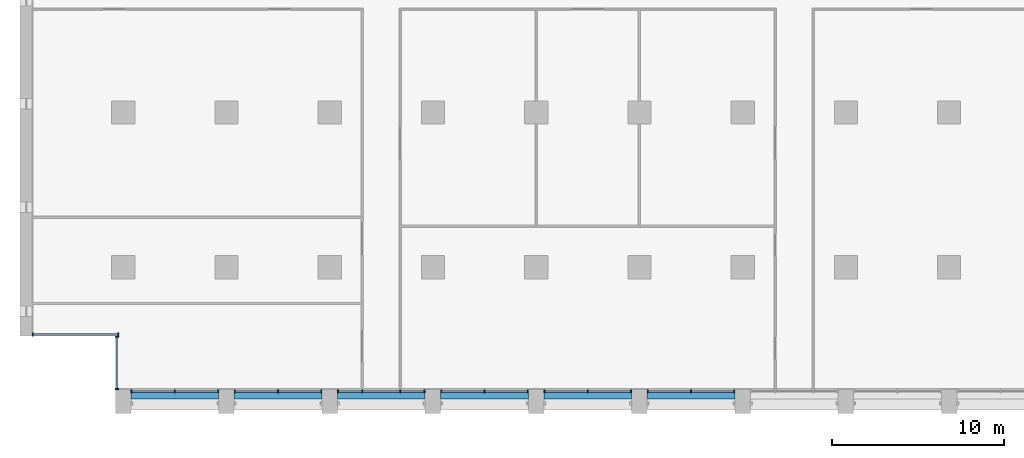
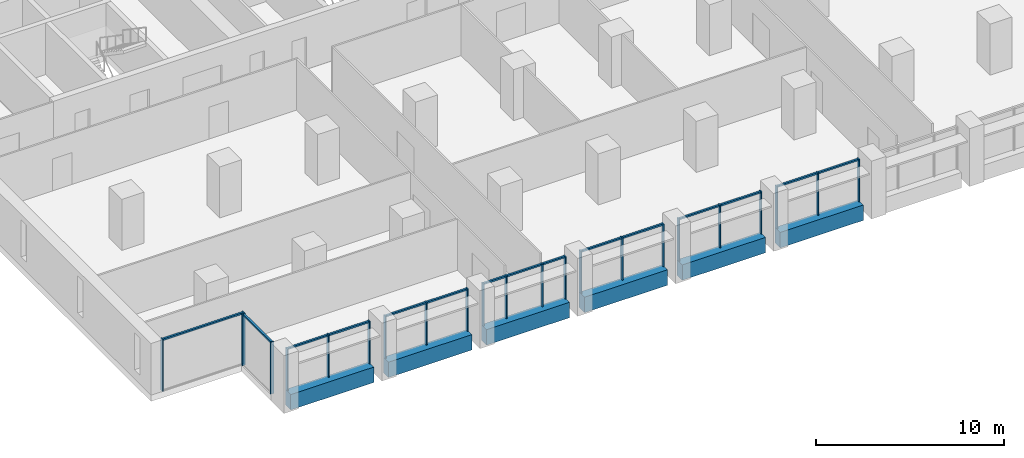
# One storey, part 2 of 15: 38 members, 6 beams, 8 elements without a shape of their own.
"""IFC4 building model written with IfcOpenShell, lengths in metres."""

from ifc_helpers import new_model, si_unit, direction, frame, origin, origin_2d, place, context, subcontext, project, spatial, rectangle, extrude, material, material_profile, profile_set, type_object, element, aggregate, save


model = new_model("IFC4")

# Units and contexts
model_context = context("Model", 3, precision=1e-05, world=origin(), true_north=direction((0.0, 1.0)))
body_context = subcontext(model_context, "Body", "Model", "MODEL_VIEW")
ifc_project = project(units=[si_unit("LENGTHUNIT", "METRE"), si_unit("AREAUNIT", "SQUARE_METRE"), si_unit("VOLUMEUNIT", "CUBIC_METRE"), si_unit("PLANEANGLEUNIT", "RADIAN"), si_unit("MASSUNIT", "GRAM", prefix="KILO")], contexts=[model_context])

# Site, building, storey
site_placement = place(None, origin())
site = spatial("IfcSite", under=ifc_project, at=site_placement, CompositionType="ELEMENT")
building_placement = place(site_placement, origin())
building = spatial("IfcBuilding", under=site, at=building_placement, Name="Calvaro Tower", CompositionType="ELEMENT")
storey_placement = place(building_placement, frame((0.0, 0.0, 121.25)))
storey = spatial("IfcBuildingStorey", under=building, at=storey_placement, Name="L30", CompositionType="ELEMENT", Elevation=121.25)

# Curtain wall, members
ifc_material_1 = material(Name="Anodised aluminium", Category="aluminium")
curtain_wall_type = type_object("IfcCurtainWallType", Name="Office curtain wall, middle zone", PredefinedType="NOTDEFINED", material=ifc_material_1)
curtain_wall_1_placement = place(storey_placement, origin())
curtain_wall_1 = element("IfcCurtainWall", 1, at=curtain_wall_1_placement, inside=storey, type_object=curtain_wall_type, Name="CW2 south curtain wall", PredefinedType="NOTDEFINED")
ifc_material_2 = material(Name="Anodised aluminium", Category="aluminium")
ifc_material_profile_1 = material_profile(ifc_material_2, rectangle(XDim=0.199951171875, YDim=0.070068359375, at=origin_2d()), Name="Mullion S2 70 x 200")
ifc_profile_set_1 = profile_set([ifc_material_profile_1], Name="Anodised aluminium")
member_type_1 = type_object("IfcMemberType", Name="Mullion S2 70 x 200", PredefinedType="MULLION", material=ifc_profile_set_1)
member_1_placement = place(storey_placement, frame((6.485107421875, 2.800048828125, 0.0), z_axis=(0.0, 0.0, 1.0), x_axis=(0.0, 1.0, 0.0)))
member_1 = element("IfcMember", 2, at=member_1_placement, type_object=member_type_1, Name="CW2 mullion 1", PredefinedType="MULLION", context=body_context, shape_type="SweptSolid", body=[
    extrude(rectangle(XDim=0.199951171875, YDim=0.070068359375, at=origin_2d()), origin(), (0.0, 0.0, 1.0), 2.75),
])
member_2_placement = place(storey_placement, frame((9.0, 2.800048828125, 0.0), z_axis=(0.0, 0.0, 1.0), x_axis=(0.0, 1.0, 0.0)))
member_2 = element("IfcMember", 3, at=member_2_placement, type_object=member_type_1, Name="CW2 mullion 2", PredefinedType="MULLION", context=body_context, shape_type="SweptSolid", body=[
    extrude(rectangle(XDim=0.199951171875, YDim=0.070068359375, at=origin_2d()), origin(), (0.0, 0.0, 1.0), 2.75),
])
member_3_placement = place(storey_placement, frame((11.514892578125, 2.800048828125, 0.0), z_axis=(0.0, 0.0, 1.0), x_axis=(0.0, 1.0, 0.0)))
member_3 = element("IfcMember", 4, at=member_3_placement, type_object=member_type_1, Name="CW2 mullion 3", PredefinedType="MULLION", context=body_context, shape_type="SweptSolid", body=[
    extrude(rectangle(XDim=0.199951171875, YDim=0.070068359375, at=origin_2d()), origin(), (0.0, 0.0, 1.0), 2.75),
])

curtain_wall_2_placement = place(storey_placement, origin())
curtain_wall_2 = element("IfcCurtainWall", 5, at=curtain_wall_2_placement, inside=storey, type_object=curtain_wall_type, Name="CW2 south curtain wall", PredefinedType="NOTDEFINED")
member_4_placement = place(storey_placement, frame((12.485107421875, 2.800048828125, 0.0), z_axis=(0.0, 0.0, 1.0), x_axis=(0.0, 1.0, 0.0)))
member_4 = element("IfcMember", 6, at=member_4_placement, type_object=member_type_1, Name="CW2 mullion 1", PredefinedType="MULLION", context=body_context, shape_type="SweptSolid", body=[
    extrude(rectangle(XDim=0.199951171875, YDim=0.070068359375, at=origin_2d()), origin(), (0.0, 0.0, 1.0), 2.75),
])
member_5_placement = place(storey_placement, frame((15.0, 2.800048828125, 0.0), z_axis=(0.0, 0.0, 1.0), x_axis=(0.0, 1.0, 0.0)))
member_5 = element("IfcMember", 7, at=member_5_placement, type_object=member_type_1, Name="CW2 mullion 2", PredefinedType="MULLION", context=body_context, shape_type="SweptSolid", body=[
    extrude(rectangle(XDim=0.199951171875, YDim=0.070068359375, at=origin_2d()), origin(), (0.0, 0.0, 1.0), 2.75),
])
member_6_placement = place(storey_placement, frame((17.514892578125, 2.800048828125, 0.0), z_axis=(0.0, 0.0, 1.0), x_axis=(0.0, 1.0, 0.0)))
member_6 = element("IfcMember", 8, at=member_6_placement, type_object=member_type_1, Name="CW2 mullion 3", PredefinedType="MULLION", context=body_context, shape_type="SweptSolid", body=[
    extrude(rectangle(XDim=0.199951171875, YDim=0.070068359375, at=origin_2d()), origin(), (0.0, 0.0, 1.0), 2.75),
])

curtain_wall_3_placement = place(storey_placement, origin())
curtain_wall_3 = element("IfcCurtainWall", 9, at=curtain_wall_3_placement, inside=storey, type_object=curtain_wall_type, Name="CW2 south curtain wall", PredefinedType="NOTDEFINED")
member_7_placement = place(storey_placement, frame((18.485107421875, 2.800048828125, 0.0), z_axis=(0.0, 0.0, 1.0), x_axis=(0.0, 1.0, 0.0)))
member_7 = element("IfcMember", 10, at=member_7_placement, type_object=member_type_1, Name="CW2 mullion 1", PredefinedType="MULLION", context=body_context, shape_type="SweptSolid", body=[
    extrude(rectangle(XDim=0.199951171875, YDim=0.070068359375, at=origin_2d()), origin(), (0.0, 0.0, 1.0), 2.75),
])
member_8_placement = place(storey_placement, frame((19.89990234375, 2.800048828125, 0.0), z_axis=(0.0, 0.0, 1.0), x_axis=(0.0, 1.0, 0.0)))
member_8 = element("IfcMember", 11, at=member_8_placement, type_object=member_type_1, Name="CW2 mullion 2", PredefinedType="MULLION", context=body_context, shape_type="SweptSolid", body=[
    extrude(rectangle(XDim=0.199951171875, YDim=0.070068359375, at=origin_2d()), origin(), (0.0, 0.0, 1.0), 2.75),
])
member_9_placement = place(storey_placement, frame((22.10009765625, 2.800048828125, 0.0), z_axis=(0.0, 0.0, 1.0), x_axis=(0.0, 1.0, 0.0)))
member_9 = element("IfcMember", 12, at=member_9_placement, type_object=member_type_1, Name="CW2 mullion 3", PredefinedType="MULLION", context=body_context, shape_type="SweptSolid", body=[
    extrude(rectangle(XDim=0.199951171875, YDim=0.070068359375, at=origin_2d()), origin(), (0.0, 0.0, 1.0), 2.75),
])
member_10_placement = place(storey_placement, frame((23.514892578125, 2.800048828125, 0.0), z_axis=(0.0, 0.0, 1.0), x_axis=(0.0, 1.0, 0.0)))
member_10 = element("IfcMember", 13, at=member_10_placement, type_object=member_type_1, Name="CW2 mullion 4", PredefinedType="MULLION", context=body_context, shape_type="SweptSolid", body=[
    extrude(rectangle(XDim=0.199951171875, YDim=0.070068359375, at=origin_2d()), origin(), (0.0, 0.0, 1.0), 2.75),
])

curtain_wall_4_placement = place(storey_placement, origin())
curtain_wall_4 = element("IfcCurtainWall", 14, at=curtain_wall_4_placement, inside=storey, type_object=curtain_wall_type, Name="CW2 south curtain wall", PredefinedType="NOTDEFINED")
member_11_placement = place(storey_placement, frame((24.485107421875, 2.800048828125, 0.0), z_axis=(0.0, 0.0, 1.0), x_axis=(0.0, 1.0, 0.0)))
member_11 = element("IfcMember", 15, at=member_11_placement, type_object=member_type_1, Name="CW2 mullion 1", PredefinedType="MULLION", context=body_context, shape_type="SweptSolid", body=[
    extrude(rectangle(XDim=0.199951171875, YDim=0.070068359375, at=origin_2d()), origin(), (0.0, 0.0, 1.0), 2.75),
])
member_12_placement = place(storey_placement, frame((27.0, 2.800048828125, 0.0), z_axis=(0.0, 0.0, 1.0), x_axis=(0.0, 1.0, 0.0)))
member_12 = element("IfcMember", 16, at=member_12_placement, type_object=member_type_1, Name="CW2 mullion 2", PredefinedType="MULLION", context=body_context, shape_type="SweptSolid", body=[
    extrude(rectangle(XDim=0.199951171875, YDim=0.070068359375, at=origin_2d()), origin(), (0.0, 0.0, 1.0), 2.75),
])
member_13_placement = place(storey_placement, frame((29.514892578125, 2.800048828125, 0.0), z_axis=(0.0, 0.0, 1.0), x_axis=(0.0, 1.0, 0.0)))
member_13 = element("IfcMember", 17, at=member_13_placement, type_object=member_type_1, Name="CW2 mullion 3", PredefinedType="MULLION", context=body_context, shape_type="SweptSolid", body=[
    extrude(rectangle(XDim=0.199951171875, YDim=0.070068359375, at=origin_2d()), origin(), (0.0, 0.0, 1.0), 2.75),
])

curtain_wall_5_placement = place(storey_placement, origin())
curtain_wall_5 = element("IfcCurtainWall", 18, at=curtain_wall_5_placement, inside=storey, type_object=curtain_wall_type, Name="CW2 south curtain wall", PredefinedType="NOTDEFINED")
member_14_placement = place(storey_placement, frame((30.485107421875, 2.800048828125, 0.0), z_axis=(0.0, 0.0, 1.0), x_axis=(0.0, 1.0, 0.0)))
member_14 = element("IfcMember", 19, at=member_14_placement, type_object=member_type_1, Name="CW2 mullion 1", PredefinedType="MULLION", context=body_context, shape_type="SweptSolid", body=[
    extrude(rectangle(XDim=0.199951171875, YDim=0.070068359375, at=origin_2d()), origin(), (0.0, 0.0, 1.0), 2.75),
])
member_15_placement = place(storey_placement, frame((33.0, 2.800048828125, 0.0), z_axis=(0.0, 0.0, 1.0), x_axis=(0.0, 1.0, 0.0)))
member_15 = element("IfcMember", 20, at=member_15_placement, type_object=member_type_1, Name="CW2 mullion 2", PredefinedType="MULLION", context=body_context, shape_type="SweptSolid", body=[
    extrude(rectangle(XDim=0.199951171875, YDim=0.070068359375, at=origin_2d()), origin(), (0.0, 0.0, 1.0), 2.75),
])
member_16_placement = place(storey_placement, frame((35.514892578125, 2.800048828125, 0.0), z_axis=(0.0, 0.0, 1.0), x_axis=(0.0, 1.0, 0.0)))
member_16 = element("IfcMember", 21, at=member_16_placement, type_object=member_type_1, Name="CW2 mullion 3", PredefinedType="MULLION", context=body_context, shape_type="SweptSolid", body=[
    extrude(rectangle(XDim=0.199951171875, YDim=0.070068359375, at=origin_2d()), origin(), (0.0, 0.0, 1.0), 2.75),
])

curtain_wall_6_placement = place(storey_placement, origin())
curtain_wall_6 = element("IfcCurtainWall", 22, at=curtain_wall_6_placement, inside=storey, type_object=curtain_wall_type, Name="CW2 south curtain wall", PredefinedType="NOTDEFINED")
member_17_placement = place(storey_placement, frame((36.485107421875, 2.800048828125, 0.0), z_axis=(0.0, 0.0, 1.0), x_axis=(0.0, 1.0, 0.0)))
member_17 = element("IfcMember", 23, at=member_17_placement, type_object=member_type_1, Name="CW2 mullion 1", PredefinedType="MULLION", context=body_context, shape_type="SweptSolid", body=[
    extrude(rectangle(XDim=0.199951171875, YDim=0.070068359375, at=origin_2d()), origin(), (0.0, 0.0, 1.0), 2.75),
])
member_18_placement = place(storey_placement, frame((39.0, 2.800048828125, 0.0), z_axis=(0.0, 0.0, 1.0), x_axis=(0.0, 1.0, 0.0)))
member_18 = element("IfcMember", 24, at=member_18_placement, type_object=member_type_1, Name="CW2 mullion 2", PredefinedType="MULLION", context=body_context, shape_type="SweptSolid", body=[
    extrude(rectangle(XDim=0.199951171875, YDim=0.070068359375, at=origin_2d()), origin(), (0.0, 0.0, 1.0), 2.75),
])
member_19_placement = place(storey_placement, frame((41.514892578125, 2.800048828125, 0.0), z_axis=(0.0, 0.0, 1.0), x_axis=(0.0, 1.0, 0.0)))
member_19 = element("IfcMember", 25, at=member_19_placement, type_object=member_type_1, Name="CW2 mullion 3", PredefinedType="MULLION", context=body_context, shape_type="SweptSolid", body=[
    extrude(rectangle(XDim=0.199951171875, YDim=0.070068359375, at=origin_2d()), origin(), (0.0, 0.0, 1.0), 2.75),
])

curtain_wall_7_placement = place(storey_placement, origin())
curtain_wall_7 = element("IfcCurtainWall", 26, at=curtain_wall_7_placement, inside=storey, type_object=curtain_wall_type, Name="CW2 corner curtain wall", PredefinedType="NOTDEFINED")
member_20_placement = place(storey_placement, frame((5.64990234375, 2.93505859375, 0.0), z_axis=(0.0, 0.0, 1.0), x_axis=(-1.0, 0.0, 0.0)))
member_20 = element("IfcMember", 27, at=member_20_placement, type_object=member_type_1, Name="CW2 mullion 1", PredefinedType="MULLION", context=body_context, shape_type="SweptSolid", body=[
    extrude(rectangle(XDim=0.199951171875, YDim=0.070068359375, at=origin_2d()), origin(), (0.0, 0.0, 1.0), 3.35009765625),
])
member_21_placement = place(storey_placement, frame((5.64990234375, 5.965087890625, 0.0), z_axis=(0.0, 0.0, 1.0), x_axis=(-1.0, 0.0, 0.0)))
member_21 = element("IfcMember", 28, at=member_21_placement, type_object=member_type_1, Name="CW2 mullion 2", PredefinedType="MULLION", context=body_context, shape_type="SweptSolid", body=[
    extrude(rectangle(XDim=0.199951171875, YDim=0.070068359375, at=origin_2d()), origin(), (0.0, 0.0, 1.0), 3.35009765625),
])

curtain_wall_8_placement = place(storey_placement, origin())
curtain_wall_8 = element("IfcCurtainWall", 29, at=curtain_wall_8_placement, inside=storey, type_object=curtain_wall_type, Name="CW2 corner curtain wall", PredefinedType="NOTDEFINED")
member_22_placement = place(storey_placement, frame((0.735107421875, 6.10009765625, 0.0), z_axis=(0.0, 0.0, 1.0), x_axis=(0.0, 1.0, 0.0)))
member_22 = element("IfcMember", 30, at=member_22_placement, type_object=member_type_1, Name="CW2 mullion 1", PredefinedType="MULLION", context=body_context, shape_type="SweptSolid", body=[
    extrude(rectangle(XDim=0.199951171875, YDim=0.070068359375, at=origin_2d()), origin(), (0.0, 0.0, 1.0), 3.35009765625),
])
member_23_placement = place(storey_placement, frame((5.715087890625, 6.10009765625, 0.0), z_axis=(0.0, 0.0, 1.0), x_axis=(0.0, 1.0, 0.0)))
member_23 = element("IfcMember", 31, at=member_23_placement, type_object=member_type_1, Name="CW2 mullion 2", PredefinedType="MULLION", context=body_context, shape_type="SweptSolid", body=[
    extrude(rectangle(XDim=0.199951171875, YDim=0.070068359375, at=origin_2d()), origin(), (0.0, 0.0, 1.0), 3.35009765625),
])

# Beams
ifc_material_3 = material(Name="Concrete C50/60 precast", Category="concrete")
ifc_material_profile_2 = material_profile(ifc_material_3, rectangle(XDim=0.550048828125, YDim=1.0, at=origin_2d()), Name="RC 550x1000")
ifc_profile_set_2 = profile_set([ifc_material_profile_2], Name="Concrete C50/60 precast")
beam_type = type_object("IfcBeamType", Name="Spandrel beam 550x1000 C50/60", PredefinedType="SPANDREL", material=ifc_profile_set_2)
for number, where, z_axis, x_axis, name in (
    (32, (6.449951171875, 2.625, -0.5), (1.0, 0.0, 0.0), (0.0, 1.0, 0.0), "Spandrel beam"),
    (33, (12.449951171875, 2.625, -0.5), (1.0, 0.0, 0.0), (0.0, 1.0, 0.0), "Spandrel beam"),
    (34, (18.449951171875, 2.625, -0.5), (1.0, 0.0, 0.0), (0.0, 1.0, 0.0), "Spandrel beam"),
    (35, (24.449951171875, 2.625, -0.5), (1.0, 0.0, 0.0), (0.0, 1.0, 0.0), "Spandrel beam"),
    (36, (30.449951171875, 2.625, -0.5), (1.0, 0.0, 0.0), (0.0, 1.0, 0.0), "Spandrel beam"),
    (37, (36.449951171875, 2.625, -0.5), (1.0, 0.0, 0.0), (0.0, 1.0, 0.0), "Spandrel beam"),
):
    element("IfcBeam", number, at=place(storey_placement, frame(where, z_axis=z_axis, x_axis=x_axis)), inside=storey, type_object=beam_type, Name=name, PredefinedType="SPANDREL", context=body_context, shape_type="SweptSolid", body=[
        extrude(rectangle(XDim=0.550048828125, YDim=1.0, at=origin_2d()), origin(), (0.0, 0.0, 1.0), 5.10009765625),
    ])

# Member
ifc_material_4 = material(Name="Anodised aluminium", Category="aluminium")
ifc_material_profile_3 = material_profile(ifc_material_4, rectangle(XDim=0.1201171875, YDim=0.10009765625, at=origin_2d()), Name="Transom S2 100 x 120")
ifc_profile_set_3 = profile_set([ifc_material_profile_3], Name="Anodised aluminium")
member_type_2 = type_object("IfcMemberType", Name="Transom S2 100 x 120", PredefinedType="USERDEFINED", material=ifc_profile_set_3)
member_24_placement = place(storey_placement, frame((6.52001953125, 2.800048828125, 2.699951171875), z_axis=(1.0, 0.0, 0.0), x_axis=(0.0, 1.0, 0.0)))
member_24 = element("IfcMember", 38, at=member_24_placement, type_object=member_type_2, Name="CW2 transom 1.1", ObjectType="TRANSOM", PredefinedType="USERDEFINED", context=body_context, shape_type="SweptSolid", body=[
    extrude(rectangle(XDim=0.1201171875, YDim=0.10009765625, at=origin_2d()), origin(), (0.0, 0.0, 1.0), 2.445068359375),
])

member_25_placement = place(storey_placement, frame((9.034912109375, 2.800048828125, 2.699951171875), z_axis=(1.0, 0.0, 0.0), x_axis=(0.0, 1.0, 0.0)))
member_25 = element("IfcMember", 39, at=member_25_placement, type_object=member_type_2, Name="CW2 transom 2.1", ObjectType="TRANSOM", PredefinedType="USERDEFINED", context=body_context, shape_type="SweptSolid", body=[
    extrude(rectangle(XDim=0.1201171875, YDim=0.10009765625, at=origin_2d()), origin(), (0.0, 0.0, 1.0), 2.445068359375),
])

aggregate(curtain_wall_1, [member_1, member_2, member_3, member_24, member_25])

member_26_placement = place(storey_placement, frame((12.52001953125, 2.800048828125, 2.699951171875), z_axis=(1.0, 0.0, 0.0), x_axis=(0.0, 1.0, 0.0)))
member_26 = element("IfcMember", 40, at=member_26_placement, type_object=member_type_2, Name="CW2 transom 1.1", ObjectType="TRANSOM", PredefinedType="USERDEFINED", context=body_context, shape_type="SweptSolid", body=[
    extrude(rectangle(XDim=0.1201171875, YDim=0.10009765625, at=origin_2d()), origin(), (0.0, 0.0, 1.0), 2.445068359375),
])

member_27_placement = place(storey_placement, frame((15.034912109375, 2.800048828125, 2.699951171875), z_axis=(1.0, 0.0, 0.0), x_axis=(0.0, 1.0, 0.0)))
member_27 = element("IfcMember", 41, at=member_27_placement, type_object=member_type_2, Name="CW2 transom 2.1", ObjectType="TRANSOM", PredefinedType="USERDEFINED", context=body_context, shape_type="SweptSolid", body=[
    extrude(rectangle(XDim=0.1201171875, YDim=0.10009765625, at=origin_2d()), origin(), (0.0, 0.0, 1.0), 2.445068359375),
])

aggregate(curtain_wall_2, [member_4, member_5, member_6, member_26, member_27])

member_28_placement = place(storey_placement, frame((18.52001953125, 2.800048828125, 2.699951171875), z_axis=(1.0, 0.0, 0.0), x_axis=(0.0, 1.0, 0.0)))
member_28 = element("IfcMember", 42, at=member_28_placement, type_object=member_type_2, Name="CW2 transom 1.1", ObjectType="TRANSOM", PredefinedType="USERDEFINED", context=body_context, shape_type="SweptSolid", body=[
    extrude(rectangle(XDim=0.1201171875, YDim=0.10009765625, at=origin_2d()), origin(), (0.0, 0.0, 1.0), 1.344970703125),
])

member_29_placement = place(storey_placement, frame((19.93505859375, 2.800048828125, 2.699951171875), z_axis=(1.0, 0.0, 0.0), x_axis=(0.0, 1.0, 0.0)))
member_29 = element("IfcMember", 43, at=member_29_placement, type_object=member_type_2, Name="CW2 transom 2.1", ObjectType="TRANSOM", PredefinedType="USERDEFINED", context=body_context, shape_type="SweptSolid", body=[
    extrude(rectangle(XDim=0.1201171875, YDim=0.10009765625, at=origin_2d()), origin(), (0.0, 0.0, 1.0), 2.1298828125),
])

member_30_placement = place(storey_placement, frame((22.135009765625, 2.800048828125, 2.699951171875), z_axis=(1.0, 0.0, 0.0), x_axis=(0.0, 1.0, 0.0)))
member_30 = element("IfcMember", 44, at=member_30_placement, type_object=member_type_2, Name="CW2 transom 3.1", ObjectType="TRANSOM", PredefinedType="USERDEFINED", context=body_context, shape_type="SweptSolid", body=[
    extrude(rectangle(XDim=0.1201171875, YDim=0.10009765625, at=origin_2d()), origin(), (0.0, 0.0, 1.0), 1.344970703125),
])

aggregate(curtain_wall_3, [member_7, member_8, member_9, member_10, member_28, member_29, member_30])

member_31_placement = place(storey_placement, frame((24.52001953125, 2.800048828125, 2.699951171875), z_axis=(1.0, 0.0, 0.0), x_axis=(0.0, 1.0, 0.0)))
member_31 = element("IfcMember", 45, at=member_31_placement, type_object=member_type_2, Name="CW2 transom 1.1", ObjectType="TRANSOM", PredefinedType="USERDEFINED", context=body_context, shape_type="SweptSolid", body=[
    extrude(rectangle(XDim=0.1201171875, YDim=0.10009765625, at=origin_2d()), origin(), (0.0, 0.0, 1.0), 2.445068359375),
])

member_32_placement = place(storey_placement, frame((27.034912109375, 2.800048828125, 2.699951171875), z_axis=(1.0, 0.0, 0.0), x_axis=(0.0, 1.0, 0.0)))
member_32 = element("IfcMember", 46, at=member_32_placement, type_object=member_type_2, Name="CW2 transom 2.1", ObjectType="TRANSOM", PredefinedType="USERDEFINED", context=body_context, shape_type="SweptSolid", body=[
    extrude(rectangle(XDim=0.1201171875, YDim=0.10009765625, at=origin_2d()), origin(), (0.0, 0.0, 1.0), 2.445068359375),
])

aggregate(curtain_wall_4, [member_11, member_12, member_13, member_31, member_32])

member_33_placement = place(storey_placement, frame((30.52001953125, 2.800048828125, 2.699951171875), z_axis=(1.0, 0.0, 0.0), x_axis=(0.0, 1.0, 0.0)))
member_33 = element("IfcMember", 47, at=member_33_placement, type_object=member_type_2, Name="CW2 transom 1.1", ObjectType="TRANSOM", PredefinedType="USERDEFINED", context=body_context, shape_type="SweptSolid", body=[
    extrude(rectangle(XDim=0.1201171875, YDim=0.10009765625, at=origin_2d()), origin(), (0.0, 0.0, 1.0), 2.445068359375),
])

member_34_placement = place(storey_placement, frame((33.034912109375, 2.800048828125, 2.699951171875), z_axis=(1.0, 0.0, 0.0), x_axis=(0.0, 1.0, 0.0)))
member_34 = element("IfcMember", 48, at=member_34_placement, type_object=member_type_2, Name="CW2 transom 2.1", ObjectType="TRANSOM", PredefinedType="USERDEFINED", context=body_context, shape_type="SweptSolid", body=[
    extrude(rectangle(XDim=0.1201171875, YDim=0.10009765625, at=origin_2d()), origin(), (0.0, 0.0, 1.0), 2.445068359375),
])

aggregate(curtain_wall_5, [member_14, member_15, member_16, member_33, member_34])

member_35_placement = place(storey_placement, frame((36.52001953125, 2.800048828125, 2.699951171875), z_axis=(1.0, 0.0, 0.0), x_axis=(0.0, 1.0, 0.0)))
member_35 = element("IfcMember", 49, at=member_35_placement, type_object=member_type_2, Name="CW2 transom 1.1", ObjectType="TRANSOM", PredefinedType="USERDEFINED", context=body_context, shape_type="SweptSolid", body=[
    extrude(rectangle(XDim=0.1201171875, YDim=0.10009765625, at=origin_2d()), origin(), (0.0, 0.0, 1.0), 2.445068359375),
])

member_36_placement = place(storey_placement, frame((39.034912109375, 2.800048828125, 2.699951171875), z_axis=(1.0, 0.0, 0.0), x_axis=(0.0, 1.0, 0.0)))
member_36 = element("IfcMember", 50, at=member_36_placement, type_object=member_type_2, Name="CW2 transom 2.1", ObjectType="TRANSOM", PredefinedType="USERDEFINED", context=body_context, shape_type="SweptSolid", body=[
    extrude(rectangle(XDim=0.1201171875, YDim=0.10009765625, at=origin_2d()), origin(), (0.0, 0.0, 1.0), 2.445068359375),
])

aggregate(curtain_wall_6, [member_17, member_18, member_19, member_35, member_36])

member_37_placement = place(storey_placement, frame((5.64990234375, 2.969970703125, 3.300048828125), z_axis=(0.0, 1.0, 0.0), x_axis=(-1.0, 0.0, 0.0)))
member_37 = element("IfcMember", 51, at=member_37_placement, type_object=member_type_2, Name="CW2 transom 1.1", ObjectType="TRANSOM", PredefinedType="USERDEFINED", context=body_context, shape_type="SweptSolid", body=[
    extrude(rectangle(XDim=0.1201171875, YDim=0.10009765625, at=origin_2d()), origin(), (0.0, 0.0, 1.0), 2.9599609375),
])

aggregate(curtain_wall_7, [member_20, member_21, member_37])

member_38_placement = place(storey_placement, frame((0.77001953125, 6.10009765625, 3.300048828125), z_axis=(1.0, 0.0, 0.0), x_axis=(0.0, 1.0, 0.0)))
member_38 = element("IfcMember", 52, at=member_38_placement, type_object=member_type_2, Name="CW2 transom 1.1", ObjectType="TRANSOM", PredefinedType="USERDEFINED", context=body_context, shape_type="SweptSolid", body=[
    extrude(rectangle(XDim=0.1201171875, YDim=0.10009765625, at=origin_2d()), origin(), (0.0, 0.0, 1.0), 4.909912109375),
])

aggregate(curtain_wall_8, [member_22, member_23, member_38])

save(model, "model.ifc")
